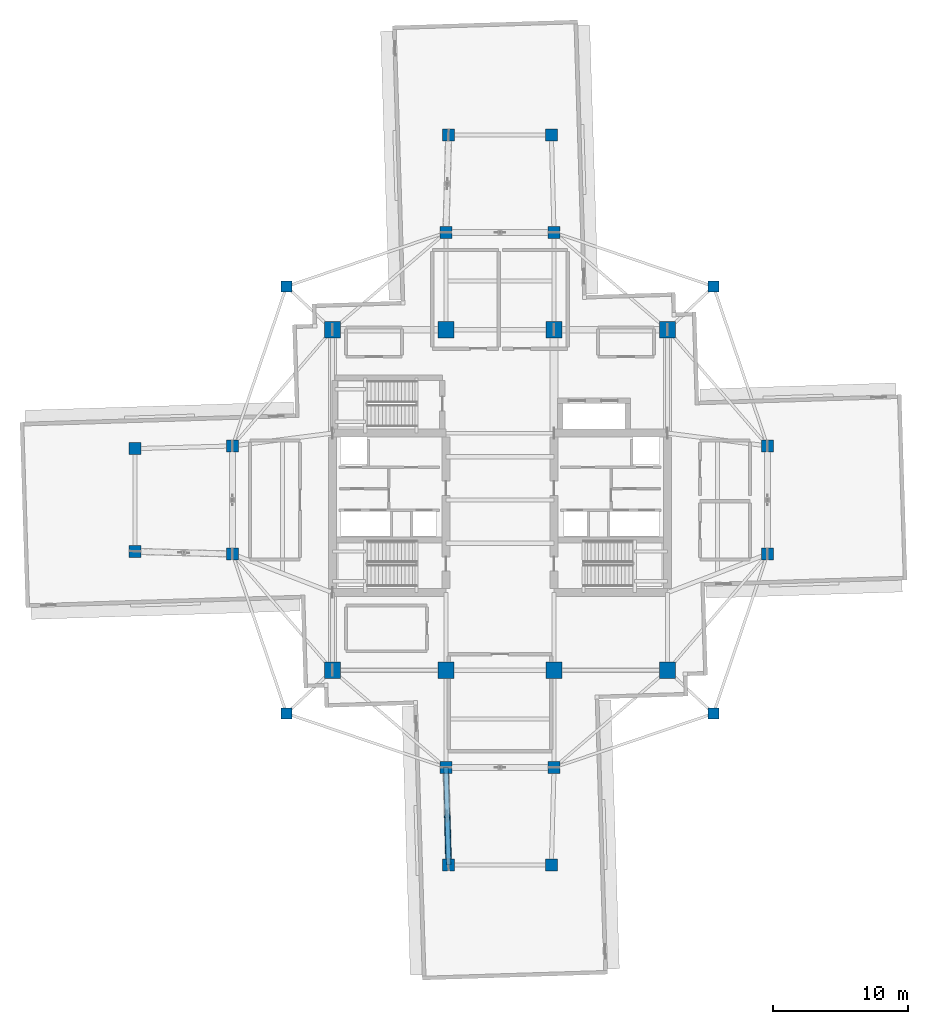
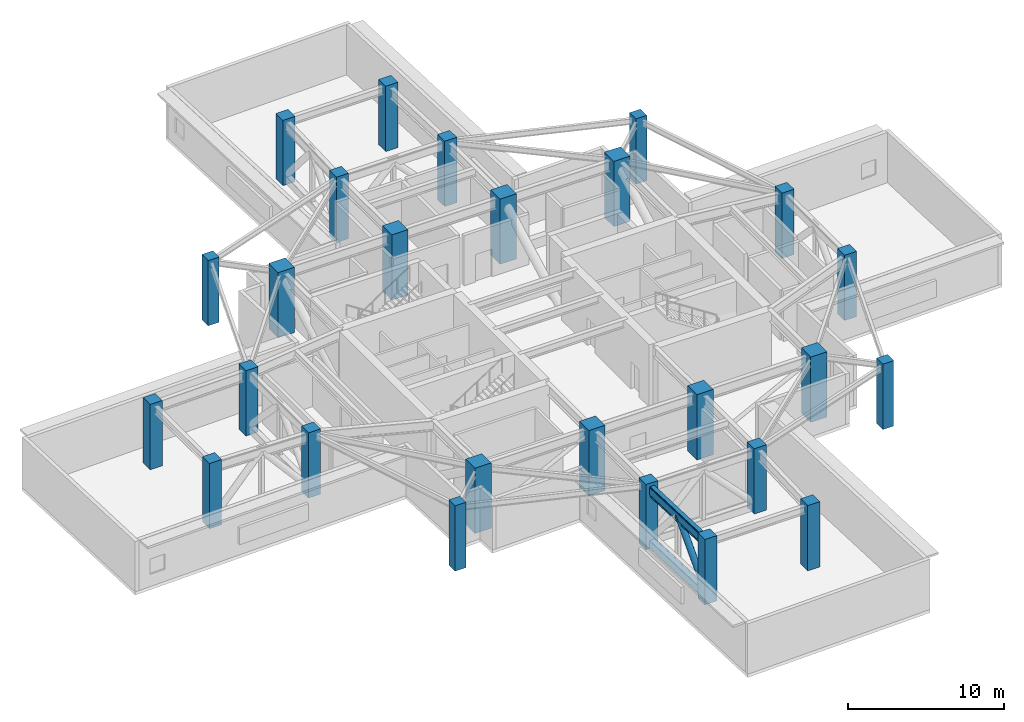
# One storey, part 1 of 17: 26 columns, 3 members, 1 beam.
"""IFC4 building model written with IfcOpenShell, lengths in metres."""

import ifcopenshell
import ifcopenshell.guid

model = None  # the IFC model being written
_history = None  # IfcOwnerHistory: only IFC2X3 demands one
_inside = {}  # id of a spatial element -> (the spatial element, [elements in it])
_under = {}  # id of a project, library or spatial element -> (it, [spatial elements below it])
_declared = {}  # id of a project -> (the project, [libraries it declares])
_typed = {}  # id of a type object -> (the type object, [elements of that type])
_made_of = {}  # id of a material, layer set ... -> (it, [elements and type objects made of it])


def new_model(schema):
    """Start an empty IFC model of exactly this schema.

    Asked for "IFC4X3", IfcOpenShell would pick the latest addendum, in which some entities
    have other attributes; the version numbers below select the first issue.
    IFC2X3 requires an IfcOwnerHistory on every rooted entity: one is made here for all.
    """
    global model, _history
    if schema == "IFC4X3":
        model = ifcopenshell.file(schema_version=(4, 3, 0, 0))
    else:
        model = ifcopenshell.file(schema=schema)
    _inside.clear()
    _under.clear()
    _declared.clear()
    _typed.clear()
    _made_of.clear()
    _history = None
    if model.schema == "IFC2X3":
        org = make("IfcOrganization", Name="unknown")
        user = make(
            "IfcPersonAndOrganization",
            ThePerson=make("IfcPerson", FamilyName="unknown"),
            TheOrganization=org,
        )
        app = make(
            "IfcApplication",
            ApplicationDeveloper=org,
            Version="unknown",
            ApplicationFullName="unknown",
            ApplicationIdentifier="unknown",
        )
        _history = make(
            "IfcOwnerHistory",
            OwningUser=user,
            OwningApplication=app,
            ChangeAction="ADDED",
            CreationDate=0,
        )
    return model


def make(cls, **values):
    """One entity of the class cls with the attributes given. An attribute that is None is left unset."""
    return model.create_entity(
        cls, **{name: value for name, value in values.items() if value is not None}
    )


def rooted(cls, **values):
    """An entity with a GlobalId (a new one), such as an element, a storey or a relation."""
    return make(cls, GlobalId=ifcopenshell.guid.new(), OwnerHistory=_history, **values)


def si_unit(unit_type, name, prefix=None):
    """IfcSIUnit, for example si_unit("LENGTHUNIT", "METRE", prefix="MILLI")."""
    return make("IfcSIUnit", UnitType=unit_type, Prefix=prefix, Name=name)


def assignment(units):
    """IfcUnitAssignment: the units of a project."""
    return None if units is None else make("IfcUnitAssignment", Units=units)


def point(xyz):
    """IfcCartesianPoint."""
    return None if xyz is None else make("IfcCartesianPoint", Coordinates=xyz)


def direction(xyz):
    """IfcDirection."""
    return None if xyz is None else make("IfcDirection", DirectionRatios=xyz)


def frame(location, z_axis=None, x_axis=None):
    """IfcAxis2Placement3D, a coordinate frame: its origin and axes. An axis left out is left unset."""
    return make(
        "IfcAxis2Placement3D",
        Location=point(location),
        Axis=direction(z_axis),
        RefDirection=direction(x_axis),
    )


def frame_2d(location, x_axis=None):
    """IfcAxis2Placement2D, a coordinate frame in the plane: its origin and x axis."""
    return make(
        "IfcAxis2Placement2D", Location=point(location), RefDirection=direction(x_axis)
    )


def origin():
    """The frame at (0, 0, 0) with its axes left unset."""
    return frame((0.0, 0.0, 0.0))


def origin_2d():
    """The frame at (0, 0) in the plane with its x axis left unset."""
    return frame_2d((0.0, 0.0))


def place(relative_to, where):
    """IfcLocalPlacement: puts the frame where relative to a parent placement (None: the world)."""
    return make(
        "IfcLocalPlacement", PlacementRelTo=relative_to, RelativePlacement=where
    )


def context(
    kind, dimensions, precision=None, world=None, true_north=None, identifier=None
):
    """IfcGeometricRepresentationContext, for example the 3D "Model" context."""
    return make(
        "IfcGeometricRepresentationContext",
        ContextIdentifier=identifier,
        ContextType=kind,
        CoordinateSpaceDimension=dimensions,
        Precision=precision,
        WorldCoordinateSystem=world,
        TrueNorth=true_north,
    )


def subcontext(parent, identifier, kind, view, scale=None):
    """IfcGeometricRepresentationSubContext, for example "Body" below "Model"."""
    return make(
        "IfcGeometricRepresentationSubContext",
        ContextIdentifier=identifier,
        ContextType=kind,
        ParentContext=parent,
        TargetScale=scale,
        TargetView=view,
    )


def project(units=None, contexts=None):
    """IfcProject with its units and contexts."""
    return rooted(
        "IfcProject",
        Name="project",
        RepresentationContexts=contexts,
        UnitsInContext=assignment(units),
    )


def spatial(cls, under=None, at=None, **own):
    """A site, building, storey or space (cls), placed at a placement, below another one or the project."""
    s = rooted(cls, ObjectPlacement=at, **own)
    if under is not None:
        _under.setdefault(under.id(), (under, []))[1].append(s)
    return s


def profile(cls, at=None, kind="AREA", **sizes):
    """A parametric profile (cls). Its sizes go by their IFC names, for example OverallWidth=200.0."""
    return make(cls, ProfileType=kind, Position=at, **sizes)


def rectangle(**sizes):
    """IfcRectangleProfileDef."""
    return profile("IfcRectangleProfileDef", **sizes)


def hollow_rectangle(**sizes):
    """IfcRectangleHollowProfileDef."""
    return profile("IfcRectangleHollowProfileDef", **sizes)


def hollow_circle(**sizes):
    """IfcCircleHollowProfileDef."""
    return profile("IfcCircleHollowProfileDef", **sizes)


def i_section(**sizes):
    """IfcIShapeProfileDef."""
    return profile("IfcIShapeProfileDef", **sizes)


def extrude(swept, where, along, depth):
    """IfcExtrudedAreaSolid: the profile swept, set in the frame where, extruded along a direction by depth."""
    return make(
        "IfcExtrudedAreaSolid",
        SweptArea=swept,
        Position=where,
        ExtrudedDirection=direction(along),
        Depth=depth,
    )


def shape(context_of_items, identifier, shape_type, items):
    """IfcShapeRepresentation: the items that make up one representation, for example the "Body"."""
    return make(
        "IfcShapeRepresentation",
        ContextOfItems=context_of_items,
        RepresentationIdentifier=identifier,
        RepresentationType=shape_type,
        Items=items,
    )


def material(Name=None, Category=None):
    """IfcMaterial."""
    return make("IfcMaterial", Name=Name, Category=Category)


def material_profile(
    of_material, cross_section, Name=None, Category=None, Priority=None
):
    """IfcMaterialProfile: a cross section and its material."""
    return make(
        "IfcMaterialProfile",
        Name=Name,
        Material=of_material,
        Profile=cross_section,
        Priority=Priority,
        Category=Category,
    )


def profile_set(profiles, Name=None, composite=None):
    """IfcMaterialProfileSet."""
    return make(
        "IfcMaterialProfileSet",
        Name=Name,
        MaterialProfiles=profiles,
        CompositeProfile=composite,
    )


def made_of(thing, what):
    """Note that an element or type object is made of a material, layer set ...; save() writes the relation."""
    if what is not None:
        _made_of.setdefault(what.id(), (what, []))[1].append(thing)
    return thing


def type_object(cls, material=None, **own):
    """A type object (cls), such as IfcWallType, which elements share."""
    return made_of(rooted(cls, **own), material)


def element(
    cls,
    number,
    at=None,
    inside=None,
    cuts=None,
    type_object=None,
    material=None,
    context=None,
    identifier="Body",
    shape_type=None,
    held_by="IfcProductDefinitionShape",
    body=None,
    shapes=None,
    **own,
):
    """One element of the class cls, such as IfcWall. Its Tag is "e" and its number.

    at: its placement. inside: the storey or other place that contains it. cuts: it is an
    opening in that element (IfcRelVoidsElement). A single representation is given by context,
    identifier, shape_type and body (its items); several are given by shapes. held_by: the class
    of the entity that holds the representations. save() writes the other relations.
    """
    e = rooted(cls, Tag="e%d" % number, ObjectPlacement=at, **own)
    if body is not None:
        shapes = [shape(context, identifier, shape_type, body)]
    if shapes is not None:
        e.Representation = make(held_by, Representations=shapes)
    if inside is not None:
        _inside.setdefault(inside.id(), (inside, []))[1].append(e)
    if cuts is not None:
        rooted(
            "IfcRelVoidsElement", RelatingBuildingElement=cuts, RelatedOpeningElement=e
        )
    if type_object is not None:
        _typed.setdefault(type_object.id(), (type_object, []))[1].append(e)
    return made_of(e, material)


def aggregate(whole, parts):
    """IfcRelAggregates: a whole, such as a stair, and the parts it consists of."""
    return rooted("IfcRelAggregates", RelatingObject=whole, RelatedObjects=parts)


def save(model, path):
    """Write the relations noted so far, then the file.

    IfcRelAggregates (storeys below a building ...), IfcRelContainedInSpatialStructure (elements
    in a storey), IfcRelDefinesByType, IfcRelAssociatesMaterial and IfcRelDeclares: one each for
    every whole, place, type object, material and project.
    """
    for whole, parts in _under.values():
        aggregate(whole, parts)
    for where, things in _inside.values():
        rooted(
            "IfcRelContainedInSpatialStructure",
            RelatedElements=things,
            RelatingStructure=where,
        )
    for kind, things in _typed.values():
        rooted("IfcRelDefinesByType", RelatedObjects=things, RelatingType=kind)
    for what, things in _made_of.values():
        rooted("IfcRelAssociatesMaterial", RelatedObjects=things, RelatingMaterial=what)
    for by, libraries in _declared.values():
        rooted("IfcRelDeclares", RelatingContext=by, RelatedDefinitions=libraries)
    model.write(path)


model = new_model("IFC4")

# Units and contexts
model_context = context("Model", 3, precision=1e-05, world=origin(), true_north=direction((0.0, 1.0)))
body_context = subcontext(model_context, "Body", "Model", "MODEL_VIEW")
ifc_project = project(units=[si_unit("LENGTHUNIT", "METRE"), si_unit("AREAUNIT", "SQUARE_METRE"), si_unit("VOLUMEUNIT", "CUBIC_METRE"), si_unit("PLANEANGLEUNIT", "RADIAN"), si_unit("MASSUNIT", "GRAM", prefix="KILO")], contexts=[model_context])

# Site, building, storey
site_placement = place(None, origin())
site = spatial("IfcSite", under=ifc_project, at=site_placement, CompositionType="ELEMENT")
building_placement = place(site_placement, origin())
building = spatial("IfcBuilding", under=site, at=building_placement, Name="Qingluan Cross Belvedere", CompositionType="ELEMENT")
storey_placement = place(building_placement, frame((0.0, 0.0, 191.699951171875)))
storey = spatial("IfcBuildingStorey", under=building, at=storey_placement, Name="L48", CompositionType="ELEMENT", Elevation=191.699951171875)

# Columns
ifc_material_1 = material(Name="Concrete C60", Category="concrete")
ifc_material_profile_1 = material_profile(ifc_material_1, rectangle(XDim=1.199951171875, YDim=1.199951171875, at=origin_2d()), Name="RC1200x1200")
ifc_profile_set_1 = profile_set([ifc_material_profile_1], Name="Concrete C60")
column_type_1 = type_object("IfcColumnType", Name="Column_RC1200x1200", PredefinedType="COLUMN", material=ifc_profile_set_1)
for number, where, z_axis, x_axis, name in (
    (1, (-12.39990234375, -12.60009765625, 0.0), (0.0, 0.0, 1.0), (1.0, 0.0, 0.0), "Hub column L48-HC1"),
    (2, (12.39990234375, -12.60009765625, 0.0), (0.0, 0.0, 1.0), (1.0, 0.0, 0.0), "Hub column L48-HC2"),
    (3, (12.39990234375, 12.60009765625, 0.0), (0.0, 0.0, 1.0), (1.0, 0.0, 0.0), "Hub column L48-HC3"),
    (4, (-12.39990234375, 12.60009765625, 0.0), (0.0, 0.0, 1.0), (1.0, 0.0, 0.0), "Hub column L48-HC4"),
    (5, (-4.0, -12.60009765625, 0.0), (0.0, 0.0, 1.0), (1.0, 0.0, 0.0), "Hub column L48-HC5"),
    (6, (4.0, -12.60009765625, 0.0), (0.0, 0.0, 1.0), (1.0, 0.0, 0.0), "Hub column L48-HC6"),
    (7, (4.0, 12.60009765625, 0.0), (0.0, 0.0, 1.0), (1.0, 0.0, 0.0), "Hub column L48-HC7"),
    (8, (-4.0, 12.60009765625, 0.0), (0.0, 0.0, 1.0), (1.0, 0.0, 0.0), "Hub column L48-HC8"),
):
    element("IfcColumn", number, at=place(storey_placement, frame(where, z_axis=z_axis, x_axis=x_axis)), inside=storey, type_object=column_type_1, Name=name, PredefinedType="COLUMN", context=body_context, shape_type="SweptSolid", body=[
        extrude(rectangle(XDim=1.199951171875, YDim=1.199951171875, at=origin_2d()), origin(), (0.0, 0.0, 1.0), 5.10009765625),
    ])
ifc_material_2 = material(Name="Concrete C50", Category="concrete")
ifc_material_profile_2 = material_profile(ifc_material_2, rectangle(XDim=0.800048828125, YDim=0.800048828125, at=origin_2d()), Name="RC800x800")
ifc_profile_set_2 = profile_set([ifc_material_profile_2], Name="Concrete C50")
column_type_2 = type_object("IfcColumnType", Name="Column_RC800x800", PredefinedType="COLUMN", material=ifc_profile_set_2)
for number, where, z_axis, x_axis, name in (
    (9, (15.800048828125, 15.800048828125, 0.0), (0.0, 0.0, 1.0), (1.0, 0.0, 0.0), "Corner column L48-RNE"),
    (10, (-15.800048828125, 15.800048828125, 0.0), (0.0, 0.0, 1.0), (1.0, 0.0, 0.0), "Corner column L48-RNW"),
    (11, (-15.800048828125, -15.800048828125, 0.0), (0.0, 0.0, 1.0), (1.0, 0.0, 0.0), "Corner column L48-RSW"),
    (12, (15.800048828125, -15.800048828125, 0.0), (0.0, 0.0, 1.0), (1.0, 0.0, 0.0), "Corner column L48-RSE"),
):
    element("IfcColumn", number, at=place(storey_placement, frame(where, z_axis=z_axis, x_axis=x_axis)), inside=storey, type_object=column_type_2, Name=name, PredefinedType="COLUMN", context=body_context, shape_type="SweptSolid", body=[
        extrude(rectangle(XDim=0.800048828125, YDim=0.800048828125, at=origin_2d()), origin(), (0.0, 0.0, 1.0), 5.10009765625),
    ])
ifc_material_3 = material(Name="Concrete C50", Category="concrete")
ifc_material_profile_3 = material_profile(ifc_material_3, rectangle(XDim=0.89990234375, YDim=0.89990234375, at=origin_2d()), Name="RC900x900")
ifc_profile_set_3 = profile_set([ifc_material_profile_3], Name="Concrete C50")
column_type_3 = type_object("IfcColumnType", Name="Column_RC900x900", PredefinedType="COLUMN", material=ifc_profile_set_3)
for number, where, z_axis, x_axis, name in (
    (13, (19.800048828125, -4.0, 0.0), (0.0, 0.0, 1.0), (1.0, 0.0, 0.0), "Arm column L48-EIA"),
    (14, (19.800048828125, 4.0, 0.0), (0.0, 0.0, 1.0), (1.0, 0.0, 0.0), "Arm column L48-EIB"),
    (15, (-19.800048828125, -4.0, 0.0), (0.0, 0.0, 1.0), (1.0, 0.0, 0.0), "Arm column L48-WIA"),
    (16, (-19.800048828125, 4.0, 0.0), (0.0, 0.0, 1.0), (1.0, 0.0, 0.0), "Arm column L48-WIB"),
    (17, (-4.0, -19.800048828125, 0.0), (0.0, 0.0, 1.0), (1.0, 0.0, 0.0), "Arm column L48-SIA"),
    (18, (4.0, -19.800048828125, 0.0), (0.0, 0.0, 1.0), (1.0, 0.0, 0.0), "Arm column L48-SIB"),
    (19, (-4.0, 19.800048828125, 0.0), (0.0, 0.0, 1.0), (1.0, 0.0, 0.0), "Arm column L48-NIA"),
    (20, (4.0, 19.800048828125, 0.0), (0.0, 0.0, 1.0), (1.0, 0.0, 0.0), "Arm column L48-NIB"),
    (21, (-27.0, -3.800048828125, 0.0), (0.0, 0.0, 1.0), (1.0, 0.0, 0.0), "Arm column L48-WOA"),
    (22, (-27.0, 3.800048828125, 0.0), (0.0, 0.0, 1.0), (1.0, 0.0, 0.0), "Arm column L48-WOB"),
    (23, (-3.800048828125, -27.0, 0.0), (0.0, 0.0, 1.0), (1.0, 0.0, 0.0), "Arm column L48-SOA"),
    (24, (3.800048828125, -27.0, 0.0), (0.0, 0.0, 1.0), (1.0, 0.0, 0.0), "Arm column L48-SOB"),
    (25, (-3.800048828125, 27.0, 0.0), (0.0, 0.0, 1.0), (1.0, 0.0, 0.0), "Arm column L48-NOA"),
    (26, (3.800048828125, 27.0, 0.0), (0.0, 0.0, 1.0), (1.0, 0.0, 0.0), "Arm column L48-NOB"),
):
    element("IfcColumn", number, at=place(storey_placement, frame(where, z_axis=z_axis, x_axis=x_axis)), inside=storey, type_object=column_type_3, Name=name, PredefinedType="COLUMN", context=body_context, shape_type="SweptSolid", body=[
        extrude(rectangle(XDim=0.89990234375, YDim=0.89990234375, at=origin_2d()), origin(), (0.0, 0.0, 1.0), 5.10009765625),
    ])

# Members
ifc_material_4 = material(Name="Steel Q420GJB", Category="steel")
ifc_material_profile_4 = material_profile(ifc_material_4, hollow_circle(Radius=0.228515625, WallThickness=0.02001953125, at=origin_2d()), Name="CHS457x20")
ifc_profile_set_4 = profile_set([ifc_material_profile_4], Name="Steel Q420GJB")
member_type_1 = type_object("IfcMemberType", Name="SteelMember_BRACE_CHS457x20", PredefinedType="BRACE", material=ifc_profile_set_4)
member_placement = place(storey_placement, frame((-3.800048828125, -27.0, 0.35009765625), z_axis=(-0.018172505357, 0.655187687035, 0.755247545383), x_axis=(-0.999615569646, -0.027725672588, 0.0)))
element("IfcMember", 27, at=member_placement, inside=storey, type_object=member_type_1, Name="Belt truss diagonal B L48-SS", PredefinedType="BRACE", context=body_context, shape_type="SweptSolid", body=[
    extrude(hollow_circle(Radius=0.228515625, WallThickness=0.02001953125, at=origin_2d()), origin(), (0.0, 0.0, 1.0), 5.494873046875),
])
ifc_material_5 = material(Name="Steel Q420GJB", Category="steel")
ifc_material_profile_5 = material_profile(ifc_material_5, hollow_rectangle(XDim=0.39990234375, YDim=0.60009765625, WallThickness=0.02490234375, InnerFilletRadius=0.02490234375, OuterFilletRadius=0.050048828125, at=origin_2d()), Name="RHS600x400x25")
ifc_profile_set_5 = profile_set([ifc_material_profile_5], Name="Steel Q420GJB")
member_type_2 = type_object("IfcMemberType", Name="SteelMember_CHORD_RHS600x400x25", PredefinedType="CHORD", material=ifc_profile_set_5)
for number, where, z_axis, x_axis, name in (
    (28, (-4.0, -19.800048828125, 0.35009765625), (0.027760481514, -0.999614603568, 0.0), (0.999614603568, 0.027760481514, 0.0), "Belt truss bottom chord L48-SS"),
    (29, (-4.0, -19.800048828125, 4.5), (0.027760481514, -0.999614603568, 0.0), (0.999614603568, 0.027760481514, 0.0), "Belt truss top chord L48-SS"),
):
    element("IfcMember", number, at=place(storey_placement, frame(where, z_axis=z_axis, x_axis=x_axis)), inside=storey, type_object=member_type_2, Name=name, PredefinedType="CHORD", context=body_context, shape_type="SweptSolid", body=[
        extrude(hollow_rectangle(XDim=0.39990234375, YDim=0.60009765625, WallThickness=0.02490234375, InnerFilletRadius=0.02490234375, OuterFilletRadius=0.050048828125, at=origin_2d()), origin(), (0.0, 0.0, 1.0), 7.20263671875),
    ])

# Beam
ifc_material_6 = material(Name="Steel Q420GJB", Category="steel")
ifc_material_profile_6 = material_profile(ifc_material_6, i_section(OverallWidth=0.305908203125, OverallDepth=0.81396484375, WebThickness=0.02099609375, FlangeThickness=0.0400390625, FilletRadius=0.030029296875, at=origin_2d()), Name="HEM800")
ifc_profile_set_6 = profile_set([ifc_material_profile_6], Name="Steel Q420GJB")
beam_type = type_object("IfcBeamType", Name="Steel_Girder_HEM800", PredefinedType="USERDEFINED", material=ifc_profile_set_6)
beam_placement = place(storey_placement, frame((-4.0, -19.800048828125, 4.443115234375), z_axis=(0.027760481514, -0.999614603568, 0.0), x_axis=(0.999614603568, 0.027760481514, 0.0)))
element("IfcBeam", 30, at=beam_placement, inside=storey, type_object=beam_type, Name="Arm S outer radial girder A L48", ObjectType="GIRDER", PredefinedType="USERDEFINED", context=body_context, shape_type="SweptSolid", body=[
    extrude(i_section(OverallWidth=0.305908203125, OverallDepth=0.81396484375, WebThickness=0.02099609375, FlangeThickness=0.0400390625, FilletRadius=0.030029296875, at=origin_2d()), origin(), (0.0, 0.0, 1.0), 7.20263671875),
])

save(model, "model.ifc")
